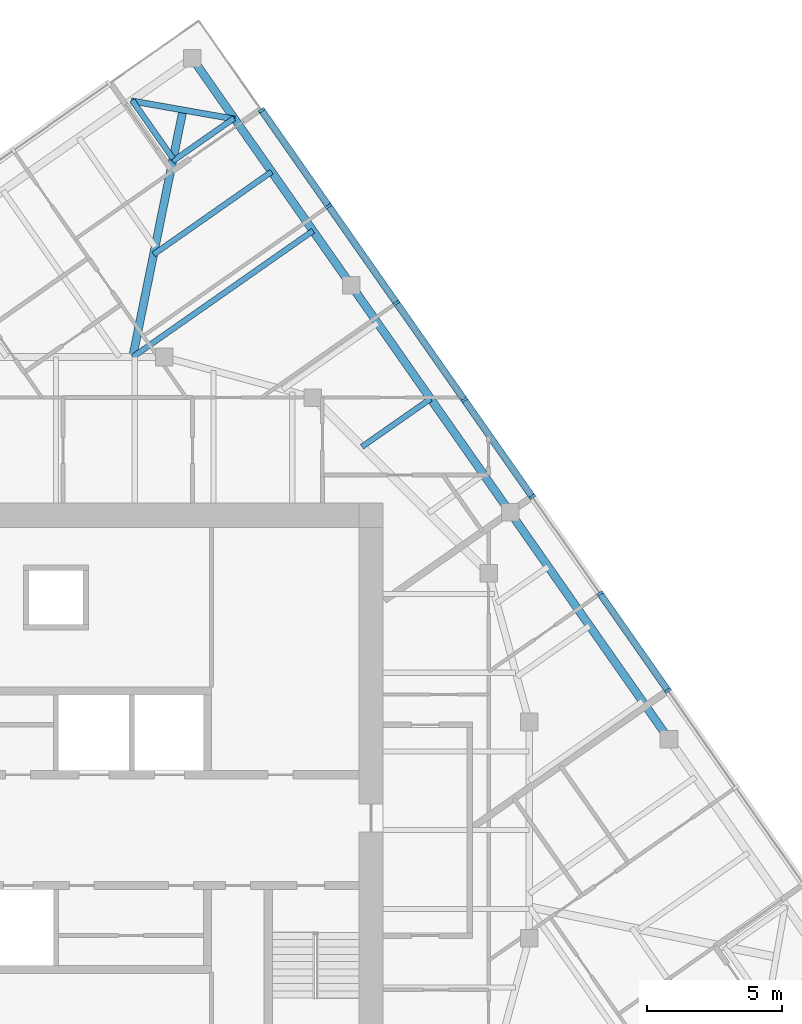
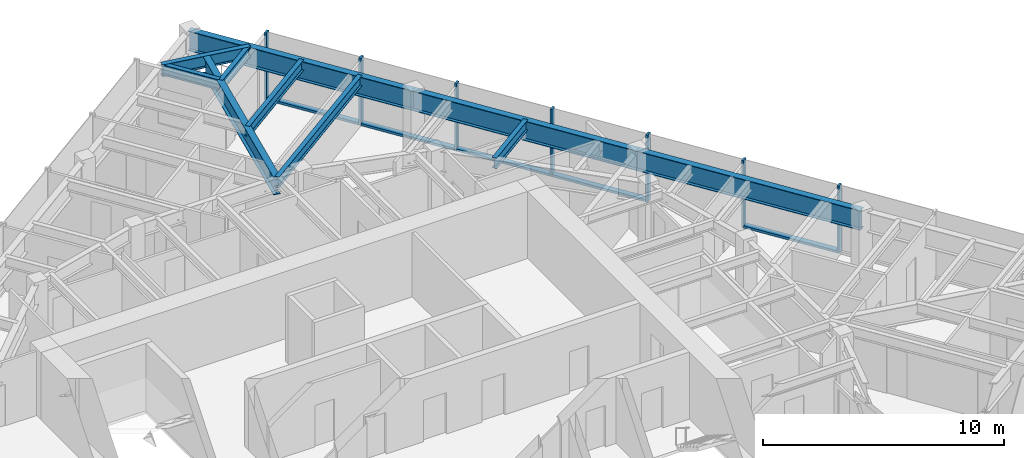
# One storey, part 5 of 12: 12 members, 10 beams, 1 element without a shape of its own.
"""IFC4 building model written with IfcOpenShell, lengths in metres."""

import ifcopenshell
import ifcopenshell.guid

model = None  # the IFC model being written
_history = None  # IfcOwnerHistory: only IFC2X3 demands one
_inside = {}  # id of a spatial element -> (the spatial element, [elements in it])
_under = {}  # id of a project, library or spatial element -> (it, [spatial elements below it])
_declared = {}  # id of a project -> (the project, [libraries it declares])
_typed = {}  # id of a type object -> (the type object, [elements of that type])
_made_of = {}  # id of a material, layer set ... -> (it, [elements and type objects made of it])


def new_model(schema):
    """Start an empty IFC model of exactly this schema.

    Asked for "IFC4X3", IfcOpenShell would pick the latest addendum, in which some entities
    have other attributes; the version numbers below select the first issue.
    IFC2X3 requires an IfcOwnerHistory on every rooted entity: one is made here for all.
    """
    global model, _history
    if schema == "IFC4X3":
        model = ifcopenshell.file(schema_version=(4, 3, 0, 0))
    else:
        model = ifcopenshell.file(schema=schema)
    _inside.clear()
    _under.clear()
    _declared.clear()
    _typed.clear()
    _made_of.clear()
    _history = None
    if model.schema == "IFC2X3":
        org = make("IfcOrganization", Name="unknown")
        user = make(
            "IfcPersonAndOrganization",
            ThePerson=make("IfcPerson", FamilyName="unknown"),
            TheOrganization=org,
        )
        app = make(
            "IfcApplication",
            ApplicationDeveloper=org,
            Version="unknown",
            ApplicationFullName="unknown",
            ApplicationIdentifier="unknown",
        )
        _history = make(
            "IfcOwnerHistory",
            OwningUser=user,
            OwningApplication=app,
            ChangeAction="ADDED",
            CreationDate=0,
        )
    return model


def make(cls, **values):
    """One entity of the class cls with the attributes given. An attribute that is None is left unset."""
    return model.create_entity(
        cls, **{name: value for name, value in values.items() if value is not None}
    )


def rooted(cls, **values):
    """An entity with a GlobalId (a new one), such as an element, a storey or a relation."""
    return make(cls, GlobalId=ifcopenshell.guid.new(), OwnerHistory=_history, **values)


def si_unit(unit_type, name, prefix=None):
    """IfcSIUnit, for example si_unit("LENGTHUNIT", "METRE", prefix="MILLI")."""
    return make("IfcSIUnit", UnitType=unit_type, Prefix=prefix, Name=name)


def assignment(units):
    """IfcUnitAssignment: the units of a project."""
    return None if units is None else make("IfcUnitAssignment", Units=units)


def point(xyz):
    """IfcCartesianPoint."""
    return None if xyz is None else make("IfcCartesianPoint", Coordinates=xyz)


def direction(xyz):
    """IfcDirection."""
    return None if xyz is None else make("IfcDirection", DirectionRatios=xyz)


def frame(location, z_axis=None, x_axis=None):
    """IfcAxis2Placement3D, a coordinate frame: its origin and axes. An axis left out is left unset."""
    return make(
        "IfcAxis2Placement3D",
        Location=point(location),
        Axis=direction(z_axis),
        RefDirection=direction(x_axis),
    )


def frame_2d(location, x_axis=None):
    """IfcAxis2Placement2D, a coordinate frame in the plane: its origin and x axis."""
    return make(
        "IfcAxis2Placement2D", Location=point(location), RefDirection=direction(x_axis)
    )


def origin():
    """The frame at (0, 0, 0) with its axes left unset."""
    return frame((0.0, 0.0, 0.0))


def origin_2d():
    """The frame at (0, 0) in the plane with its x axis left unset."""
    return frame_2d((0.0, 0.0))


def place(relative_to, where):
    """IfcLocalPlacement: puts the frame where relative to a parent placement (None: the world)."""
    return make(
        "IfcLocalPlacement", PlacementRelTo=relative_to, RelativePlacement=where
    )


def context(
    kind, dimensions, precision=None, world=None, true_north=None, identifier=None
):
    """IfcGeometricRepresentationContext, for example the 3D "Model" context."""
    return make(
        "IfcGeometricRepresentationContext",
        ContextIdentifier=identifier,
        ContextType=kind,
        CoordinateSpaceDimension=dimensions,
        Precision=precision,
        WorldCoordinateSystem=world,
        TrueNorth=true_north,
    )


def subcontext(parent, identifier, kind, view, scale=None):
    """IfcGeometricRepresentationSubContext, for example "Body" below "Model"."""
    return make(
        "IfcGeometricRepresentationSubContext",
        ContextIdentifier=identifier,
        ContextType=kind,
        ParentContext=parent,
        TargetScale=scale,
        TargetView=view,
    )


def project(units=None, contexts=None):
    """IfcProject with its units and contexts."""
    return rooted(
        "IfcProject",
        Name="project",
        RepresentationContexts=contexts,
        UnitsInContext=assignment(units),
    )


def spatial(cls, under=None, at=None, **own):
    """A site, building, storey or space (cls), placed at a placement, below another one or the project."""
    s = rooted(cls, ObjectPlacement=at, **own)
    if under is not None:
        _under.setdefault(under.id(), (under, []))[1].append(s)
    return s


def profile(cls, at=None, kind="AREA", **sizes):
    """A parametric profile (cls). Its sizes go by their IFC names, for example OverallWidth=200.0."""
    return make(cls, ProfileType=kind, Position=at, **sizes)


def rectangle(**sizes):
    """IfcRectangleProfileDef."""
    return profile("IfcRectangleProfileDef", **sizes)


def i_section(**sizes):
    """IfcIShapeProfileDef."""
    return profile("IfcIShapeProfileDef", **sizes)


def extrude(swept, where, along, depth):
    """IfcExtrudedAreaSolid: the profile swept, set in the frame where, extruded along a direction by depth."""
    return make(
        "IfcExtrudedAreaSolid",
        SweptArea=swept,
        Position=where,
        ExtrudedDirection=direction(along),
        Depth=depth,
    )


def shape(context_of_items, identifier, shape_type, items):
    """IfcShapeRepresentation: the items that make up one representation, for example the "Body"."""
    return make(
        "IfcShapeRepresentation",
        ContextOfItems=context_of_items,
        RepresentationIdentifier=identifier,
        RepresentationType=shape_type,
        Items=items,
    )


def material(Name=None, Category=None):
    """IfcMaterial."""
    return make("IfcMaterial", Name=Name, Category=Category)


def material_profile(
    of_material, cross_section, Name=None, Category=None, Priority=None
):
    """IfcMaterialProfile: a cross section and its material."""
    return make(
        "IfcMaterialProfile",
        Name=Name,
        Material=of_material,
        Profile=cross_section,
        Priority=Priority,
        Category=Category,
    )


def profile_set(profiles, Name=None, composite=None):
    """IfcMaterialProfileSet."""
    return make(
        "IfcMaterialProfileSet",
        Name=Name,
        MaterialProfiles=profiles,
        CompositeProfile=composite,
    )


def made_of(thing, what):
    """Note that an element or type object is made of a material, layer set ...; save() writes the relation."""
    if what is not None:
        _made_of.setdefault(what.id(), (what, []))[1].append(thing)
    return thing


def type_object(cls, material=None, **own):
    """A type object (cls), such as IfcWallType, which elements share."""
    return made_of(rooted(cls, **own), material)


def element(
    cls,
    number,
    at=None,
    inside=None,
    cuts=None,
    type_object=None,
    material=None,
    context=None,
    identifier="Body",
    shape_type=None,
    held_by="IfcProductDefinitionShape",
    body=None,
    shapes=None,
    **own,
):
    """One element of the class cls, such as IfcWall. Its Tag is "e" and its number.

    at: its placement. inside: the storey or other place that contains it. cuts: it is an
    opening in that element (IfcRelVoidsElement). A single representation is given by context,
    identifier, shape_type and body (its items); several are given by shapes. held_by: the class
    of the entity that holds the representations. save() writes the other relations.
    """
    e = rooted(cls, Tag="e%d" % number, ObjectPlacement=at, **own)
    if body is not None:
        shapes = [shape(context, identifier, shape_type, body)]
    if shapes is not None:
        e.Representation = make(held_by, Representations=shapes)
    if inside is not None:
        _inside.setdefault(inside.id(), (inside, []))[1].append(e)
    if cuts is not None:
        rooted(
            "IfcRelVoidsElement", RelatingBuildingElement=cuts, RelatedOpeningElement=e
        )
    if type_object is not None:
        _typed.setdefault(type_object.id(), (type_object, []))[1].append(e)
    return made_of(e, material)


def aggregate(whole, parts):
    """IfcRelAggregates: a whole, such as a stair, and the parts it consists of."""
    return rooted("IfcRelAggregates", RelatingObject=whole, RelatedObjects=parts)


def save(model, path):
    """Write the relations noted so far, then the file.

    IfcRelAggregates (storeys below a building ...), IfcRelContainedInSpatialStructure (elements
    in a storey), IfcRelDefinesByType, IfcRelAssociatesMaterial and IfcRelDeclares: one each for
    every whole, place, type object, material and project.
    """
    for whole, parts in _under.values():
        aggregate(whole, parts)
    for where, things in _inside.values():
        rooted(
            "IfcRelContainedInSpatialStructure",
            RelatedElements=things,
            RelatingStructure=where,
        )
    for kind, things in _typed.values():
        rooted("IfcRelDefinesByType", RelatedObjects=things, RelatingType=kind)
    for what, things in _made_of.values():
        rooted("IfcRelAssociatesMaterial", RelatedObjects=things, RelatingMaterial=what)
    for by, libraries in _declared.values():
        rooted("IfcRelDeclares", RelatingContext=by, RelatedDefinitions=libraries)
    model.write(path)


model = new_model("IFC4")

# Units and contexts
model_context = context("Model", 3, precision=1e-05, world=origin(), true_north=direction((0.0, 1.0)))
body_context = subcontext(model_context, "Body", "Model", "MODEL_VIEW")
ifc_project = project(units=[si_unit("LENGTHUNIT", "METRE"), si_unit("AREAUNIT", "SQUARE_METRE"), si_unit("VOLUMEUNIT", "CUBIC_METRE"), si_unit("PLANEANGLEUNIT", "RADIAN"), si_unit("MASSUNIT", "GRAM", prefix="KILO")], contexts=[model_context])

# Site, building, storey
site_placement = place(None, origin())
site = spatial("IfcSite", under=ifc_project, at=site_placement, CompositionType="ELEMENT")
building_placement = place(site_placement, origin())
building = spatial("IfcBuilding", under=site, at=building_placement, Name="Torsade Residences", CompositionType="ELEMENT")
storey_placement = place(building_placement, frame((0.0, 0.0, 257.39990234375)))
storey = spatial("IfcBuildingStorey", under=building, at=storey_placement, Name="L71", CompositionType="ELEMENT", Elevation=257.39990234375)

# Beams
ifc_material_1 = material(Name="Steel grade 300", Category="steel")
ifc_material_profile_1 = material_profile(ifc_material_1, i_section(OverallWidth=0.300048828125, OverallDepth=0.89990234375, WebThickness=0.011962890625, FlangeThickness=0.02490234375, at=origin_2d()), Name="900WB175")
ifc_profile_set_1 = profile_set([ifc_material_profile_1], Name="Steel grade 300")
beam_type_1 = type_object("IfcBeamType", Name="CORNER GIRDER 900WB175", PredefinedType="BEAM", material=ifc_profile_set_1)
beam_1_placement = place(storey_placement, frame((44.696533203125, 56.635986328125, 2.800048828125), z_axis=(-0.199584461589, -0.979880626756, 0.0), x_axis=(0.979880626756, -0.199584461589, 0.0)))
element("IfcBeam", 1, at=beam_1_placement, inside=storey, type_object=beam_type_1, Name="Corner girder 09 L72", PredefinedType="BEAM", context=body_context, shape_type="SweptSolid", body=[
    extrude(i_section(OverallWidth=0.300048828125, OverallDepth=0.89990234375, WebThickness=0.011962890625, FlangeThickness=0.02490234375, at=origin_2d()), origin(), (0.0, 0.0, 1.0), 9.323486328125),
])
ifc_material_2 = material(Name="Steel grade 300", Category="steel")
ifc_material_profile_2 = material_profile(ifc_material_2, i_section(OverallWidth=0.22802734375, OverallDepth=0.60205078125, WebThickness=0.010498046875, FlangeThickness=0.014892578125, FilletRadius=0.013916015625, at=origin_2d()), Name="610UB101")
ifc_profile_set_2 = profile_set([ifc_material_profile_2], Name="Steel grade 300")
beam_type_2 = type_object("IfcBeamType", Name="CORNER TRIMMER 610UB101", PredefinedType="BEAM", material=ifc_profile_set_2)
beam_2_placement = place(storey_placement, frame((42.78173828125, 56.9736328125, 2.94921875), z_axis=(0.984808196894, -0.173645660267, 0.0), x_axis=(0.173645660267, 0.984808196894, 0.0)))
element("IfcBeam", 2, at=beam_2_placement, inside=storey, type_object=beam_type_2, Name="Corner trimmer 09 L72", PredefinedType="BEAM", context=body_context, shape_type="SweptSolid", body=[
    extrude(i_section(OverallWidth=0.22802734375, OverallDepth=0.60205078125, WebThickness=0.010498046875, FlangeThickness=0.014892578125, FilletRadius=0.013916015625, at=origin_2d()), origin(), (0.0, 0.0, 1.0), 3.888916015625),
])
ifc_material_3 = material(Name="Steel grade 300", Category="steel")
ifc_material_profile_3 = material_profile(ifc_material_3, i_section(OverallWidth=0.300048828125, OverallDepth=1.0, WebThickness=0.01611328125, FlangeThickness=0.028076171875, at=origin_2d()), Name="1000WB215")
ifc_profile_set_3 = profile_set([ifc_material_profile_3], Name="Steel grade 300")
beam_type_3 = type_object("IfcBeamType", Name="EDGE BEAM 1000WB215", PredefinedType="SPANDREL", material=ifc_profile_set_3)
for number, where, z_axis, x_axis, name in (
    (3, (62.671875, 33.362060546875, 2.75), (-0.573579034377, 0.819150225126, 0.0), (-0.819150225126, -0.573579034377, 0.0), "Edge beam 06 L72"),
    (4, (56.792724609375, 41.75830078125, 2.75), (-0.573579034377, 0.819150225126, 0.0), (-0.819150225126, -0.573579034377, 0.0), "Edge beam 07 L72"),
):
    element("IfcBeam", number, at=place(storey_placement, frame(where, z_axis=z_axis, x_axis=x_axis)), inside=storey, type_object=beam_type_3, Name=name, PredefinedType="SPANDREL", context=body_context, shape_type="SweptSolid", body=[
        extrude(i_section(OverallWidth=0.300048828125, OverallDepth=1.0, WebThickness=0.01611328125, FlangeThickness=0.028076171875, at=origin_2d()), origin(), (0.0, 0.0, 1.0), 10.25),
    ])
beam_3_placement = place(storey_placement, frame((50.91357421875, 50.154541015625, 2.75), z_axis=(-0.573583825578, 0.819146870247, 0.0), x_axis=(-0.819146870247, -0.573583825578, 0.0)))
element("IfcBeam", 5, at=beam_3_placement, inside=storey, type_object=beam_type_3, Name="Edge beam 08 L72", PredefinedType="SPANDREL", context=body_context, shape_type="SweptSolid", body=[
    extrude(i_section(OverallWidth=0.300048828125, OverallDepth=1.0, WebThickness=0.01611328125, FlangeThickness=0.028076171875, at=origin_2d()), origin(), (0.0, 0.0, 1.0), 10.250244140625),
])

# Curtain wall, members
ifc_material_4 = material(Name="Aluminium and glass", Category="aluminium")
curtain_wall_type = type_object("IfcCurtainWallType", Name="FRITTED GLASS CURTAIN WALL HIGH ZONE", PredefinedType="NOTDEFINED", material=ifc_material_4)
curtain_wall_placement = place(storey_placement, origin())
curtain_wall = element("IfcCurtainWall", 6, at=curtain_wall_placement, inside=storey, type_object=curtain_wall_type, Name="Curtain wall L71 face 4", PredefinedType="NOTDEFINED")
ifc_material_5 = material(Name="Aluminium mullion", Category="aluminium")
ifc_material_profile_4 = material_profile(ifc_material_5, rectangle(XDim=0.25, YDim=0.10009765625, at=origin_2d()), Name="HIGH ZONE CURTAIN WALL MULLION 250x100")
ifc_profile_set_4 = profile_set([ifc_material_profile_4], Name="Aluminium mullion")
member_type_1 = type_object("IfcMemberType", Name="HIGH ZONE CURTAIN WALL MULLION 250x100", PredefinedType="MULLION", material=ifc_profile_set_4)
member_1_placement = place(storey_placement, frame((62.630615234375, 35.164306640625, 0.0), z_axis=(0.0, 0.0, 1.0), x_axis=(-0.819152029353, -0.573576457682, 0.0)))
member_1 = element("IfcMember", 7, at=member_1_placement, type_object=member_type_1, Name="Mullion 3", PredefinedType="MULLION", context=body_context, shape_type="SweptSolid", body=[
    extrude(rectangle(XDim=0.25, YDim=0.10009765625, at=origin_2d()), origin(), (0.0, 0.0, 1.0), 3.400146484375),
])
member_2_placement = place(storey_placement, frame((60.12109375, 38.748046875, 0.0), z_axis=(0.0, 0.0, 1.0), x_axis=(-0.819152029353, -0.573576457682, 0.0)))
member_2 = element("IfcMember", 8, at=member_2_placement, type_object=member_type_1, Name="Mullion 4", PredefinedType="MULLION", context=body_context, shape_type="SweptSolid", body=[
    extrude(rectangle(XDim=0.25, YDim=0.10009765625, at=origin_2d()), origin(), (0.0, 0.0, 1.0), 3.400146484375),
])
member_3_placement = place(storey_placement, frame((57.61181640625, 42.331787109375, 0.0), z_axis=(0.0, 0.0, 1.0), x_axis=(-0.819152029353, -0.573576457682, 0.0)))
member_3 = element("IfcMember", 9, at=member_3_placement, type_object=member_type_1, Name="Mullion 5", PredefinedType="MULLION", context=body_context, shape_type="SweptSolid", body=[
    extrude(rectangle(XDim=0.25, YDim=0.10009765625, at=origin_2d()), origin(), (0.0, 0.0, 1.0), 3.400146484375),
])
member_4_placement = place(storey_placement, frame((55.102294921875, 45.915771484375, 0.0), z_axis=(0.0, 0.0, 1.0), x_axis=(-0.819152029353, -0.573576457682, 0.0)))
member_4 = element("IfcMember", 10, at=member_4_placement, type_object=member_type_1, Name="Mullion 6", PredefinedType="MULLION", context=body_context, shape_type="SweptSolid", body=[
    extrude(rectangle(XDim=0.25, YDim=0.10009765625, at=origin_2d()), origin(), (0.0, 0.0, 1.0), 3.400146484375),
])
member_5_placement = place(storey_placement, frame((52.593017578125, 49.49951171875, 0.0), z_axis=(0.0, 0.0, 1.0), x_axis=(-0.819152029353, -0.573576457682, 0.0)))
member_5 = element("IfcMember", 11, at=member_5_placement, type_object=member_type_1, Name="Mullion 7", PredefinedType="MULLION", context=body_context, shape_type="SweptSolid", body=[
    extrude(rectangle(XDim=0.25, YDim=0.10009765625, at=origin_2d()), origin(), (0.0, 0.0, 1.0), 3.400146484375),
])
member_6_placement = place(storey_placement, frame((50.08349609375, 53.083251953125, 0.0), z_axis=(0.0, 0.0, 1.0), x_axis=(-0.819152029353, -0.573576457682, 0.0)))
member_6 = element("IfcMember", 12, at=member_6_placement, type_object=member_type_1, Name="Mullion 8", PredefinedType="MULLION", context=body_context, shape_type="SweptSolid", body=[
    extrude(rectangle(XDim=0.25, YDim=0.10009765625, at=origin_2d()), origin(), (0.0, 0.0, 1.0), 3.400146484375),
])
member_7_placement = place(storey_placement, frame((47.602783203125, 56.6259765625, 0.0), z_axis=(0.0, 0.0, 1.0), x_axis=(-0.819152029353, -0.573576457682, 0.0)))
member_7 = element("IfcMember", 13, at=member_7_placement, type_object=member_type_1, Name="Mullion 9", PredefinedType="MULLION", context=body_context, shape_type="SweptSolid", body=[
    extrude(rectangle(XDim=0.25, YDim=0.10009765625, at=origin_2d()), origin(), (0.0, 0.0, 1.0), 3.400146484375),
])
ifc_material_6 = material(Name="Aluminium transom", Category="aluminium")
ifc_material_profile_5 = material_profile(ifc_material_6, rectangle(XDim=0.25, YDim=0.1201171875, at=origin_2d()), Name="HIGH ZONE CURTAIN WALL TRANSOM 250x120")
ifc_profile_set_5 = profile_set([ifc_material_profile_5], Name="Aluminium transom")
member_type_2 = type_object("IfcMemberType", Name="HIGH ZONE CURTAIN WALL TRANSOM 250x120", PredefinedType="USERDEFINED", material=ifc_profile_set_5)
member_8_placement = place(storey_placement, frame((62.601806640625, 35.205322265625, 0.06005859375), z_axis=(-0.573573496219, 0.819154102984, 0.0), x_axis=(-0.819154102984, -0.573573496219, 0.0)))
member_8 = element("IfcMember", 14, at=member_8_placement, type_object=member_type_2, Name="Transom 3.1", ObjectType="TRANSOM", PredefinedType="USERDEFINED", context=body_context, shape_type="SweptSolid", body=[
    extrude(rectangle(XDim=0.25, YDim=0.1201171875, at=origin_2d()), origin(), (0.0, 0.0, 1.0), 4.27490234375),
])
member_9_placement = place(storey_placement, frame((57.5830078125, 42.372802734375, 0.06005859375), z_axis=(-0.573546663483, 0.81917289067, 0.0), x_axis=(-0.81917289067, -0.573546663483, 0.0)))
member_9 = element("IfcMember", 15, at=member_9_placement, type_object=member_type_2, Name="Transom 5.1", ObjectType="TRANSOM", PredefinedType="USERDEFINED", context=body_context, shape_type="SweptSolid", body=[
    extrude(rectangle(XDim=0.25, YDim=0.1201171875, at=origin_2d()), origin(), (0.0, 0.0, 1.0), 4.27490234375),
])
member_10_placement = place(storey_placement, frame((55.07373046875, 45.95654296875, 0.06005859375), z_axis=(-0.57358498433, 0.819146058863, 0.0), x_axis=(-0.819146058863, -0.57358498433, 0.0)))
member_10 = element("IfcMember", 16, at=member_10_placement, type_object=member_type_2, Name="Transom 6.1", ObjectType="TRANSOM", PredefinedType="USERDEFINED", context=body_context, shape_type="SweptSolid", body=[
    extrude(rectangle(XDim=0.25, YDim=0.1201171875, at=origin_2d()), origin(), (0.0, 0.0, 1.0), 4.275146484375),
])
member_11_placement = place(storey_placement, frame((52.564208984375, 49.54052734375, 0.06005859375), z_axis=(-0.573573496219, 0.819154102984, 0.0), x_axis=(-0.819154102984, -0.573573496219, 0.0)))
member_11 = element("IfcMember", 17, at=member_11_placement, type_object=member_type_2, Name="Transom 7.1", ObjectType="TRANSOM", PredefinedType="USERDEFINED", context=body_context, shape_type="SweptSolid", body=[
    extrude(rectangle(XDim=0.25, YDim=0.1201171875, at=origin_2d()), origin(), (0.0, 0.0, 1.0), 4.27490234375),
])
member_12_placement = place(storey_placement, frame((50.054931640625, 53.124267578125, 0.06005859375), z_axis=(-0.573570928023, 0.819155901234, 0.0), x_axis=(-0.819155901234, -0.573570928023, 0.0)))
member_12 = element("IfcMember", 18, at=member_12_placement, type_object=member_type_2, Name="Transom 8.1", ObjectType="TRANSOM", PredefinedType="USERDEFINED", context=body_context, shape_type="SweptSolid", body=[
    extrude(rectangle(XDim=0.25, YDim=0.1201171875, at=origin_2d()), origin(), (0.0, 0.0, 1.0), 4.22509765625),
])
aggregate(curtain_wall, [member_1, member_2, member_3, member_4, member_5, member_6, member_7, member_8, member_9, member_10, member_11, member_12])

# Beams
ifc_material_7 = material(Name="Steel grade 300", Category="steel")
ifc_material_profile_6 = material_profile(ifc_material_7, i_section(OverallWidth=0.208984375, OverallDepth=0.532958984375, WebThickness=0.01025390625, FlangeThickness=0.015625, FilletRadius=0.013916015625, at=origin_2d()), Name="530UB92.4")
ifc_profile_set_6 = profile_set([ifc_material_profile_6], Name="Steel grade 300")
beam_type_4 = type_object("IfcBeamType", Name="SECONDARY BEAM 530UB92.4", PredefinedType="JOIST", material=ifc_profile_set_6)
beam_4_placement = place(storey_placement, frame((53.85302734375, 45.95654296875, 2.983642578125), z_axis=(-0.819135534955, -0.573600013401, 0.0), x_axis=(0.573600013401, -0.819135534955, 0.0)))
element("IfcBeam", 19, at=beam_4_placement, inside=storey, type_object=beam_type_4, Name="Floor beam FE08 L72", PredefinedType="JOIST", context=body_context, shape_type="SweptSolid", body=[
    extrude(i_section(OverallWidth=0.208984375, OverallDepth=0.532958984375, WebThickness=0.01025390625, FlangeThickness=0.015625, FilletRadius=0.013916015625, at=origin_2d()), origin(), (0.0, 0.0, 1.0), 3.09423828125),
])
beam_5_placement = place(storey_placement, frame((49.50341796875, 52.16845703125, 2.983642578125), z_axis=(-0.819151588523, -0.573577087251, 0.0), x_axis=(0.573577087251, -0.819151588523, 0.0)))
element("IfcBeam", 20, at=beam_5_placement, inside=storey, type_object=beam_type_4, Name="Floor beam FE10 L72", PredefinedType="JOIST", context=body_context, shape_type="SweptSolid", body=[
    extrude(i_section(OverallWidth=0.208984375, OverallDepth=0.532958984375, WebThickness=0.01025390625, FlangeThickness=0.015625, FilletRadius=0.013916015625, at=origin_2d()), origin(), (0.0, 0.0, 1.0), 8.13916015625),
])
beam_6_placement = place(storey_placement, frame((47.973876953125, 54.352783203125, 2.983642578125), z_axis=(-0.819137197966, -0.573597638513, 0.0), x_axis=(0.573597638513, -0.819137197966, 0.0)))
element("IfcBeam", 21, at=beam_6_placement, inside=storey, type_object=beam_type_4, Name="Floor beam FE11 L72", PredefinedType="JOIST", context=body_context, shape_type="SweptSolid", body=[
    extrude(i_section(OverallWidth=0.208984375, OverallDepth=0.532958984375, WebThickness=0.01025390625, FlangeThickness=0.015625, FilletRadius=0.013916015625, at=origin_2d()), origin(), (0.0, 0.0, 1.0), 5.328369140625),
])
beam_7_placement = place(storey_placement, frame((46.587646484375, 56.332275390625, 2.983642578125), z_axis=(-0.819190669238, -0.573521270253, 0.0), x_axis=(0.573521270253, -0.819190669238, 0.0)))
element("IfcBeam", 22, at=beam_7_placement, inside=storey, type_object=beam_type_4, Name="Floor beam FE12 L72", PredefinedType="JOIST", context=body_context, shape_type="SweptSolid", body=[
    extrude(i_section(OverallWidth=0.208984375, OverallDepth=0.532958984375, WebThickness=0.01025390625, FlangeThickness=0.015625, FilletRadius=0.013916015625, at=origin_2d()), origin(), (0.0, 0.0, 1.0), 2.780517578125),
])
beam_8_placement = place(storey_placement, frame((42.815673828125, 56.99755859375, 2.983642578125), z_axis=(0.573592685254, -0.819140666445, 0.0), x_axis=(0.819140666445, 0.573592685254, 0.0)))
element("IfcBeam", 23, at=beam_8_placement, inside=storey, type_object=beam_type_4, Name="Floor beam FN01 L72", PredefinedType="JOIST", context=body_context, shape_type="SweptSolid", body=[
    extrude(i_section(OverallWidth=0.208984375, OverallDepth=0.532958984375, WebThickness=0.01025390625, FlangeThickness=0.015625, FilletRadius=0.013916015625, at=origin_2d()), origin(), (0.0, 0.0, 1.0), 2.639892578125),
])

save(model, "model.ifc")
